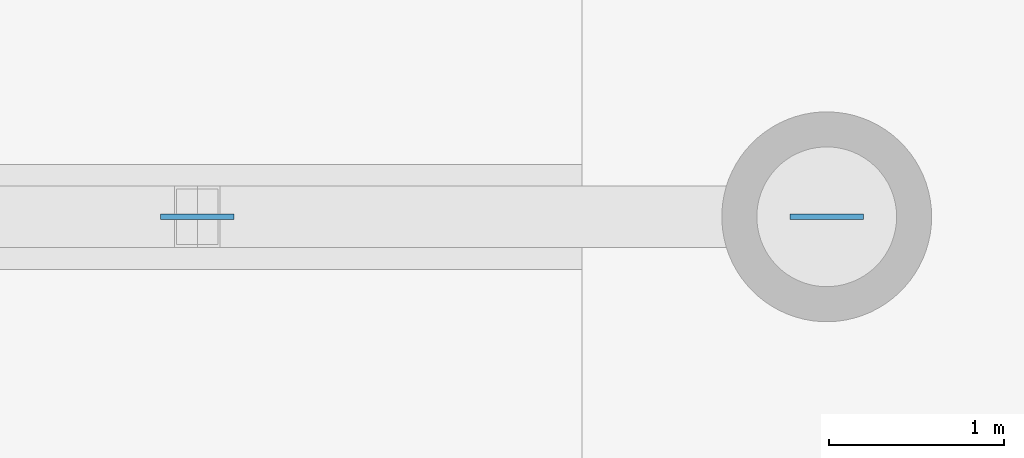
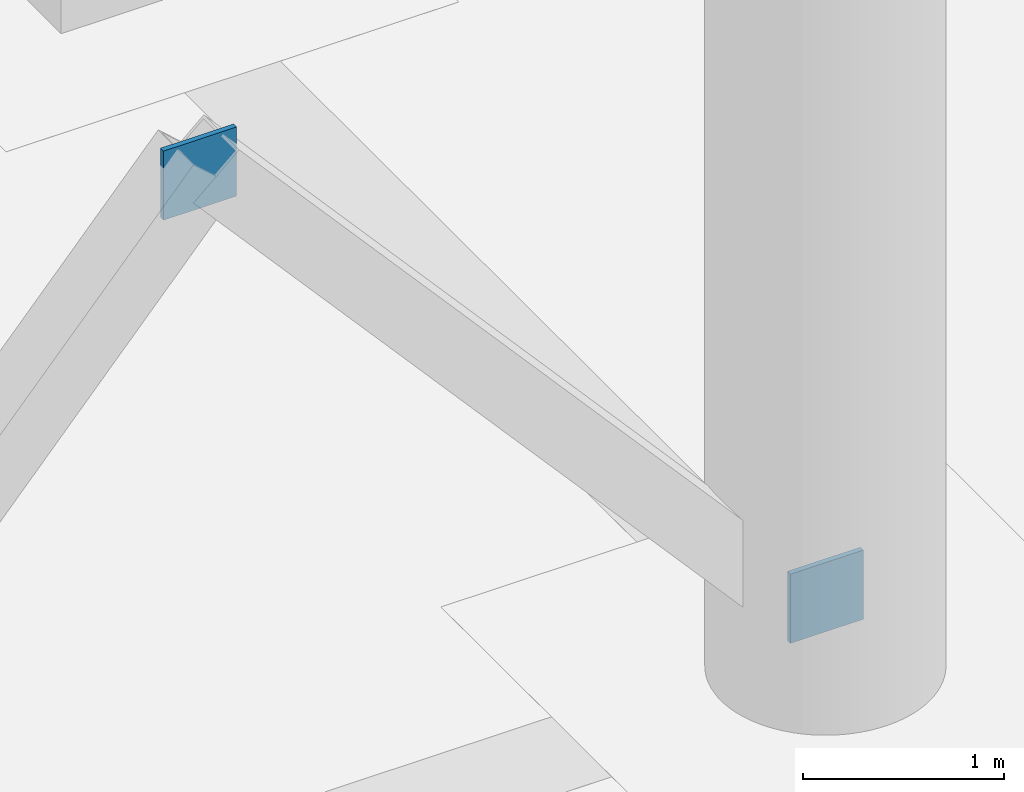
# One storey, part 31 of 37: 2 discrete accessories.
"""IFC4 building model written with IfcOpenShell, lengths in metres."""

from ifc_helpers import new_model, si_unit, direction, frame, origin, origin_2d, place, context, subcontext, project, spatial, rectangle, extrude, material, type_object, element, save


model = new_model("IFC4")

# Units and contexts
model_context = context("Model", 3, precision=1e-05, world=origin(), true_north=direction((0.0, 1.0)))
body_context = subcontext(model_context, "Body", "Model", "MODEL_VIEW")
ifc_project = project(units=[si_unit("LENGTHUNIT", "METRE"), si_unit("AREAUNIT", "SQUARE_METRE"), si_unit("VOLUMEUNIT", "CUBIC_METRE"), si_unit("PLANEANGLEUNIT", "RADIAN"), si_unit("MASSUNIT", "GRAM", prefix="KILO")], contexts=[model_context])

# Site, building, storey
site_placement = place(None, origin())
site = spatial("IfcSite", under=ifc_project, at=site_placement, CompositionType="ELEMENT")
building_placement = place(site_placement, origin())
building = spatial("IfcBuilding", under=site, at=building_placement, Name="Qandorah Velis Arena", CompositionType="ELEMENT")
storey_placement = place(building_placement, frame((0.0, 0.0, -5.39990234375)))
storey = spatial("IfcBuildingStorey", under=building, at=storey_placement, Name="B1", CompositionType="ELEMENT", Elevation=-5.39990234375)

# Discrete accessories
ifc_material = material(Name="Steel S355", Category="steel")
discrete_accessory_type = type_object("IfcDiscreteAccessoryType", Name="STR-ACC-GUS", PredefinedType="BRACKET", material=ifc_material)
for number, where, z_axis, x_axis, name in (
    (1, (86.39990234375, 28.800048828125, 0.219970703125), (0.0, 0.0, 1.0), (1.0, 0.0, 0.0), "Brace end gusset connection plate GUS-0005"),
    (2, (82.800048828125, 28.800048828125, 4.050048828125), (0.0, 0.0, 1.0), (1.0, 0.0, 0.0), "Brace end gusset connection plate GUS-0006"),
):
    element("IfcDiscreteAccessory", number, at=place(storey_placement, frame(where, z_axis=z_axis, x_axis=x_axis)), inside=storey, type_object=discrete_accessory_type, Name=name, PredefinedType="BRACKET", context=body_context, shape_type="SweptSolid", body=[
        extrude(rectangle(XDim=0.419921875, YDim=0.030029296875, at=origin_2d()), origin(), (0.0, 0.0, 1.0), 0.419921875),
    ])

save(model, "model.ifc")
